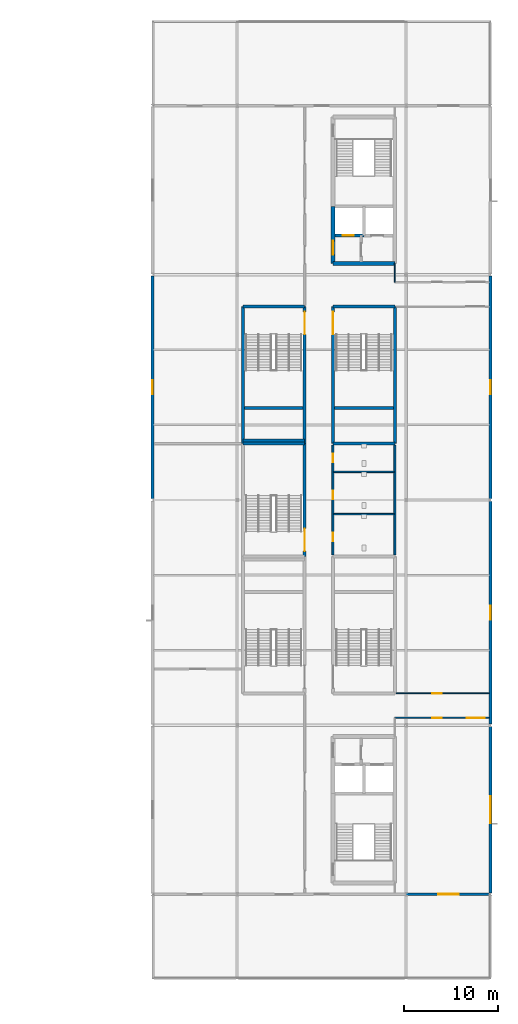
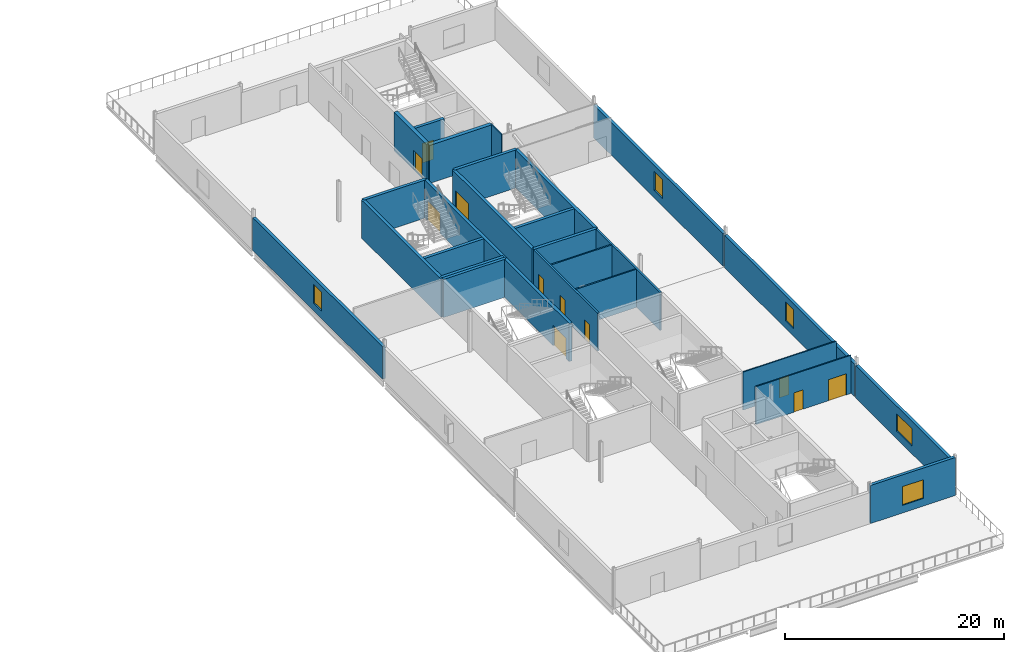
# One storey, part 15 of 28: 27 walls, 11 doors, 5 windows, 16 openings.
"""IFC4 building model written with IfcOpenShell, lengths in metres."""

from ifc_helpers import new_model, si_unit, direction, frame, frame_2d, origin, place, context, subcontext, project, spatial, rectangle, extrude, material, layer, layer_set, type_object, element, fill, save


model = new_model("IFC4")

# Units and contexts
model_context = context("Model", 3, precision=1e-05, world=origin(), true_north=direction((0.0, 1.0)))
body_context = subcontext(model_context, "Body", "Model", "MODEL_VIEW")
ifc_project = project(units=[si_unit("LENGTHUNIT", "METRE"), si_unit("AREAUNIT", "SQUARE_METRE"), si_unit("VOLUMEUNIT", "CUBIC_METRE"), si_unit("PLANEANGLEUNIT", "RADIAN"), si_unit("MASSUNIT", "GRAM", prefix="KILO")], contexts=[model_context])

# Site, building, storey
site_placement = place(None, origin())
site = spatial("IfcSite", under=ifc_project, at=site_placement, CompositionType="ELEMENT")
building_placement = place(site_placement, origin())
building = spatial("IfcBuilding", under=site, at=building_placement, Name="Kisiwana Market Hall", CompositionType="ELEMENT")
storey_placement = place(building_placement, frame((0.0, 0.0, 49.5)))
storey = spatial("IfcBuildingStorey", under=building, at=storey_placement, Name="L11", CompositionType="ELEMENT", Elevation=49.5)

# Wall
ifc_material_1 = material(Name="Masonry blockwork", Category="masonry")
ifc_layer_1 = layer(ifc_material_1, 0.199951171875, Name="Plastered fire compartment block wall")
ifc_layer_set_1 = layer_set([ifc_layer_1], Name="WL-COMP-200")
wall_type_1 = type_object("IfcWallType", Name="WL-COMP-200", PredefinedType="PARTITIONING", material=ifc_layer_set_1)
wall_1_placement = place(storey_placement, frame((187.800048828125, 54.159912109375, 0.0), z_axis=(0.0, 0.0, 1.0), x_axis=(0.0, 1.0, 0.0)))
element("IfcWall", 1, at=wall_1_placement, inside=storey, type_object=wall_type_1, Name="Interior partition W-2883", PredefinedType="PARTITIONING", context=body_context, shape_type="SweptSolid", body=[
    extrude(rectangle(XDim=11.68017578125, YDim=0.199951171875, at=frame_2d((5.840087890625, 0.0))), origin(), (0.0, 0.0, 1.0), 4.2548828125),
])

# Wall, openings, doors
wall_2_placement = place(storey_placement, frame((181.199951171875, 54.159912109375, 0.0), z_axis=(0.0, 0.0, 1.0), x_axis=(0.0, 1.0, 0.0)))
wall_2 = element("IfcWall", 2, at=wall_2_placement, inside=storey, type_object=wall_type_1, Name="Interior partition W-2884", PredefinedType="PARTITIONING", context=body_context, shape_type="SweptSolid", body=[
    extrude(rectangle(XDim=11.68017578125, YDim=0.199951171875, at=frame_2d((5.840087890625, 0.0))), origin(), (0.0, 0.0, 1.0), 4.2548828125),
])
opening_1_placement = place(wall_2_placement, frame((1.43994140625, 0.0, 0.0)))
opening_1 = element("IfcOpeningElement", 3, at=opening_1_placement, cuts=wall_2, Name="Opening DR-L11-037", PredefinedType="OPENING", context=body_context, shape_type="SweptSolid", body=[
    extrude(rectangle(XDim=0.89990234375, YDim=2.10009765625, at=frame_2d((0.449951171875, 1.050048828125))), frame((0.0, 0.11181640625, 0.0), z_axis=(0.0, -1.0, 0.0), x_axis=(1.0, 0.0, 0.0)), (0.0, 0.0, 1.0), 0.223876953125),
])
opening_2_placement = place(wall_2_placement, frame((5.93994140625, 0.0, 0.0)))
opening_2 = element("IfcOpeningElement", 4, at=opening_2_placement, cuts=wall_2, Name="Opening DR-L11-038", PredefinedType="OPENING", context=body_context, shape_type="SweptSolid", body=[
    extrude(rectangle(XDim=0.89990234375, YDim=2.10009765625, at=frame_2d((0.449951171875, 1.050048828125))), frame((0.0, 0.11181640625, 0.0), z_axis=(0.0, -1.0, 0.0), x_axis=(1.0, 0.0, 0.0)), (0.0, 0.0, 1.0), 0.223876953125),
])
opening_3_placement = place(wall_2_placement, frame((9.840087890625, 0.0, 0.0)))
opening_3 = element("IfcOpeningElement", 5, at=opening_3_placement, cuts=wall_2, Name="Opening DR-L11-039", PredefinedType="OPENING", context=body_context, shape_type="SweptSolid", body=[
    extrude(rectangle(XDim=0.949951171875, YDim=2.10009765625, at=frame_2d((0.47509765625, 1.050048828125))), frame((0.0, 0.11181640625, 0.0), z_axis=(0.0, -1.0, 0.0), x_axis=(1.0, 0.0, 0.0)), (0.0, 0.0, 1.0), 0.223876953125),
])
ifc_material_2 = material(Name="Aluminium alloy 6063-T6", Category="aluminium")
door_type_1 = type_object("IfcDoorType", Name="DR-WC-ACC-950", OperationType="NOTDEFINED", PredefinedType="DOOR", material=ifc_material_2)
door_1_placement = place(opening_3_placement, frame((0.949951171875, 0.0, 0.0), z_axis=(0.0, 0.0, 1.0), x_axis=(-1.0, 0.0, 0.0)))
door_1 = element("IfcDoor", 6, at=door_1_placement, inside=storey, type_object=door_type_1, Name="L11 E Accessible WC Door", OperationType="SINGLE_SWING_LEFT", OverallHeight=2.10009765625, OverallWidth=0.949951171875, PredefinedType="DOOR", context=body_context, shape_type="SweptSolid", body=[
    extrude(rectangle(XDim=0.949951171875, YDim=2.10009765625, at=frame_2d((0.47509765625, 1.050048828125))), frame((0.0, 0.02490234375, 0.0), z_axis=(0.0, -1.0, 0.0), x_axis=(1.0, 0.0, 0.0)), (0.0, 0.0, 1.0), 0.050048828125),
])
fill(opening_3, door_1)
ifc_material_3 = material(Name="Aluminium alloy 6063-T6", Category="aluminium")
door_type_2 = type_object("IfcDoorType", Name="DR-WC-STD-900", OperationType="NOTDEFINED", PredefinedType="DOOR", material=ifc_material_3)
door_2_placement = place(opening_1_placement, frame((0.89990234375, 0.0, 0.0), z_axis=(0.0, 0.0, 1.0), x_axis=(-1.0, 0.0, 0.0)))
door_2 = element("IfcDoor", 7, at=door_2_placement, inside=storey, type_object=door_type_2, Name="L11 E Male Toilet Door", OperationType="SINGLE_SWING_RIGHT", OverallHeight=2.10009765625, OverallWidth=0.89990234375, PredefinedType="DOOR", context=body_context, shape_type="SweptSolid", body=[
    extrude(rectangle(XDim=0.89990234375, YDim=2.10009765625, at=frame_2d((0.449951171875, 1.050048828125))), frame((0.0, 0.02490234375, 0.0), z_axis=(0.0, -1.0, 0.0), x_axis=(1.0, 0.0, 0.0)), (0.0, 0.0, 1.0), 0.050048828125),
])
fill(opening_1, door_2)
door_3_placement = place(opening_2_placement, frame((0.89990234375, 0.0, 0.0), z_axis=(0.0, 0.0, 1.0), x_axis=(-1.0, 0.0, 0.0)))
door_3 = element("IfcDoor", 8, at=door_3_placement, inside=storey, type_object=door_type_2, Name="L11 E Female Toilet Door", OperationType="SINGLE_SWING_LEFT", OverallHeight=2.10009765625, OverallWidth=0.89990234375, PredefinedType="DOOR", context=body_context, shape_type="SweptSolid", body=[
    extrude(rectangle(XDim=0.89990234375, YDim=2.10009765625, at=frame_2d((0.449951171875, 1.050048828125))), frame((0.0, 0.02490234375, 0.0), z_axis=(0.0, -1.0, 0.0), x_axis=(1.0, 0.0, 0.0)), (0.0, 0.0, 1.0), 0.050048828125),
])
fill(opening_2, door_3)

# Wall, opening, door
ifc_material_4 = material(Name="Concrete C40/50", Category="concrete")
ifc_layer_2 = layer(ifc_material_4, 0.320068359375, Name="Reinforced concrete shaft wall")
ifc_layer_set_2 = layer_set([ifc_layer_2], Name="WL-CORE-320")
wall_type_2 = type_object("IfcWallType", Name="WL-CORE-320", PredefinedType="SHEAR", material=ifc_layer_set_2)
wall_3_placement = place(storey_placement, frame((181.39990234375, 88.179931640625, 0.0), z_axis=(0.0, 0.0, 1.0), x_axis=(1.0, 0.0, 0.0)))
wall_3 = element("IfcWall", 9, at=wall_3_placement, inside=storey, type_object=wall_type_2, Name="Core E1 west lift front wall W-2785", PredefinedType="SHEAR", context=body_context, shape_type="SweptSolid", body=[
    extrude(rectangle(XDim=3.10009765625, YDim=0.320068359375, at=frame_2d((1.550048828125, 0.0))), origin(), (0.0, 0.0, 1.0), 4.2548828125),
])
opening_4_placement = place(wall_3_placement, frame((0.85009765625, 0.0, 0.0)))
opening_4 = element("IfcOpeningElement", 10, at=opening_4_placement, cuts=wall_3, Name="Opening LD-L11-007", PredefinedType="OPENING", context=body_context, shape_type="SweptSolid", body=[
    extrude(rectangle(XDim=1.14990234375, YDim=2.199951171875, at=frame_2d((0.574951171875, 1.10009765625))), frame((0.0, 0.171875, 0.0), z_axis=(0.0, -1.0, 0.0), x_axis=(1.0, 0.0, 0.0)), (0.0, 0.0, 1.0), 0.343994140625),
])
ifc_material_5 = material(Name="Steel S275", Category="steel")
door_type_3 = type_object("IfcDoorType", Name="DR-LIFT-PAX-1150", OperationType="DOUBLE_DOOR_SLIDING", PredefinedType="DOOR", material=ifc_material_5)
door_4_placement = place(opening_4_placement, origin())
door_4 = element("IfcDoor", 11, at=door_4_placement, inside=storey, type_object=door_type_3, Name="Lift Landing Door LP-04 (L11)", OperationType="DOUBLE_DOOR_SLIDING", OverallHeight=2.199951171875, OverallWidth=1.14990234375, PredefinedType="DOOR", context=body_context, shape_type="SweptSolid", body=[
    extrude(rectangle(XDim=1.14990234375, YDim=2.199951171875, at=frame_2d((0.574951171875, 1.10009765625))), frame((0.0, 0.02490234375, 0.0), z_axis=(0.0, -1.0, 0.0), x_axis=(1.0, 0.0, 0.0)), (0.0, 0.0, 1.0), 0.050048828125),
])
fill(opening_4, door_4)

# Walls
for number, where, z_axis, x_axis, name in (
    (12, (181.199951171875, 66.0, 0.0), (0.0, 0.0, 1.0), (1.0, 0.0, 0.0), "Core E4 south shear wall W-2802"),
    (13, (181.199951171875, 80.60009765625, 0.0), (0.0, 0.0, 1.0), (1.0, 0.0, 0.0), "Core E4 north shear wall W-2803"),
):
    element("IfcWall", number, at=place(storey_placement, frame(where, z_axis=z_axis, x_axis=x_axis)), inside=storey, type_object=wall_type_2, Name=name, PredefinedType="SHEAR", context=body_context, shape_type="SweptSolid", body=[
        extrude(rectangle(XDim=6.60009765625, YDim=0.320068359375, at=frame_2d((3.300048828125, 0.0))), origin(), (0.0, 0.0, 1.0), 4.2548828125),
    ])

# Wall, opening, door
wall_4_placement = place(storey_placement, frame((181.199951171875, 66.0, 0.0), z_axis=(0.0, 0.0, 1.0), x_axis=(0.0, 1.0, 0.0)))
wall_4 = element("IfcWall", 14, at=wall_4_placement, inside=storey, type_object=wall_type_2, Name="Core E4 corridor shear wall W-2804", PredefinedType="SHEAR", context=body_context, shape_type="SweptSolid", body=[
    extrude(rectangle(XDim=14.60009765625, YDim=0.320068359375, at=frame_2d((7.300048828125, 0.0))), origin(), (0.0, 0.0, 1.0), 4.2548828125),
])
opening_5_placement = place(wall_4_placement, frame((11.64990234375, 0.0, 0.0)))
opening_5 = element("IfcOpeningElement", 15, at=opening_5_placement, cuts=wall_4, Name="Opening DR-L11-016", PredefinedType="OPENING", context=body_context, shape_type="SweptSolid", body=[
    extrude(rectangle(XDim=2.39990234375, YDim=2.25, at=frame_2d((1.199951171875, 1.125))), frame((0.0, 0.171875, 0.0), z_axis=(0.0, -1.0, 0.0), x_axis=(1.0, 0.0, 0.0)), (0.0, 0.0, 1.0), 0.343994140625),
])
ifc_material_6 = material(Name="Steel S275", Category="steel")
door_type_4 = type_object("IfcDoorType", Name="DR-STAIR-FD120-2400", OperationType="DOUBLE_DOOR_SINGLE_SWING", PredefinedType="DOOR", material=ifc_material_6)
door_5_placement = place(opening_5_placement, frame((2.39990234375, 0.0, 0.0), z_axis=(0.0, 0.0, 1.0), x_axis=(-1.0, 0.0, 0.0)))
door_5 = element("IfcDoor", 16, at=door_5_placement, inside=storey, type_object=door_type_4, Name="Escape Stair E4 Fire Door (L11)", OperationType="DOUBLE_DOOR_SINGLE_SWING", OverallHeight=2.25, OverallWidth=2.39990234375, PredefinedType="DOOR", context=body_context, shape_type="SweptSolid", body=[
    extrude(rectangle(XDim=2.39990234375, YDim=2.25, at=frame_2d((1.199951171875, 1.125))), frame((0.0, 0.02490234375, 0.0), z_axis=(0.0, -1.0, 0.0), x_axis=(1.0, 0.0, 0.0)), (0.0, 0.0, 1.0), 0.050048828125),
])
fill(opening_5, door_5)

# Walls
wall_5_placement = place(storey_placement, frame((187.800048828125, 66.0, 0.0), z_axis=(0.0, 0.0, 1.0), x_axis=(0.0, 1.0, 0.0)))
element("IfcWall", 17, at=wall_5_placement, inside=storey, type_object=wall_type_2, Name="Core E4 outer shear wall W-2805", PredefinedType="SHEAR", context=body_context, shape_type="SweptSolid", body=[
    extrude(rectangle(XDim=14.60009765625, YDim=0.320068359375, at=frame_2d((7.300048828125, 0.0))), origin(), (0.0, 0.0, 1.0), 4.2548828125),
])
wall_6_placement = place(storey_placement, frame((181.360107421875, 69.780029296875, 0.0), z_axis=(0.0, 0.0, 1.0), x_axis=(1.0, 0.0, 0.0)))
element("IfcWall", 18, at=wall_6_placement, inside=storey, type_object=wall_type_2, Name="Core E4 riser divider shear wall W-2806", PredefinedType="SHEAR", context=body_context, shape_type="SweptSolid", body=[
    extrude(rectangle(XDim=6.27978515625, YDim=0.320068359375, at=frame_2d((3.139892578125, 0.0))), origin(), (0.0, 0.0, 1.0), 4.2548828125),
])
for number, where, z_axis, x_axis, name in (
    (19, (171.60009765625, 66.0, 0.0), (0.0, 0.0, 1.0), (1.0, 0.0, 0.0), "Core E8 south shear wall W-2822"),
    (20, (171.60009765625, 80.60009765625, 0.0), (0.0, 0.0, 1.0), (1.0, 0.0, 0.0), "Core E8 north shear wall W-2823"),
):
    element("IfcWall", number, at=place(storey_placement, frame(where, z_axis=z_axis, x_axis=x_axis)), inside=storey, type_object=wall_type_2, Name=name, PredefinedType="SHEAR", context=body_context, shape_type="SweptSolid", body=[
        extrude(rectangle(XDim=6.599853515625, YDim=0.320068359375, at=frame_2d((3.2998046875, 0.0))), origin(), (0.0, 0.0, 1.0), 4.2548828125),
    ])
wall_7_placement = place(storey_placement, frame((171.60009765625, 66.0, 0.0), z_axis=(0.0, 0.0, 1.0), x_axis=(0.0, 1.0, 0.0)))
element("IfcWall", 21, at=wall_7_placement, inside=storey, type_object=wall_type_2, Name="Core E8 outer shear wall W-2824", PredefinedType="SHEAR", context=body_context, shape_type="SweptSolid", body=[
    extrude(rectangle(XDim=14.60009765625, YDim=0.320068359375, at=frame_2d((7.300048828125, 0.0))), origin(), (0.0, 0.0, 1.0), 4.2548828125),
])

# Wall, opening, door
wall_8_placement = place(storey_placement, frame((178.199951171875, 66.0, 0.0), z_axis=(0.0, 0.0, 1.0), x_axis=(0.0, 1.0, 0.0)))
wall_8 = element("IfcWall", 22, at=wall_8_placement, inside=storey, type_object=wall_type_2, Name="Core E8 corridor shear wall W-2825", PredefinedType="SHEAR", context=body_context, shape_type="SweptSolid", body=[
    extrude(rectangle(XDim=14.60009765625, YDim=0.320068359375, at=frame_2d((7.300048828125, 0.0))), origin(), (0.0, 0.0, 1.0), 4.2548828125),
])
opening_6_placement = place(wall_8_placement, frame((11.64990234375, 0.0, 0.0)))
opening_6 = element("IfcOpeningElement", 23, at=opening_6_placement, cuts=wall_8, Name="Opening DR-L11-020", PredefinedType="OPENING", context=body_context, shape_type="SweptSolid", body=[
    extrude(rectangle(XDim=2.39990234375, YDim=2.25, at=frame_2d((1.199951171875, 1.125))), frame((0.0, 0.171875, 0.0), z_axis=(0.0, -1.0, 0.0), x_axis=(1.0, 0.0, 0.0)), (0.0, 0.0, 1.0), 0.343994140625),
])
door_6_placement = place(opening_6_placement, origin())
door_6 = element("IfcDoor", 24, at=door_6_placement, inside=storey, type_object=door_type_4, Name="Escape Stair E8 Fire Door (L11)", OperationType="DOUBLE_DOOR_SINGLE_SWING", OverallHeight=2.25, OverallWidth=2.39990234375, PredefinedType="DOOR", context=body_context, shape_type="SweptSolid", body=[
    extrude(rectangle(XDim=2.39990234375, YDim=2.25, at=frame_2d((1.199951171875, 1.125))), frame((0.0, 0.02490234375, 0.0), z_axis=(0.0, -1.0, 0.0), x_axis=(1.0, 0.0, 0.0)), (0.0, 0.0, 1.0), 0.050048828125),
])
fill(opening_6, door_6)

# Walls
wall_9_placement = place(storey_placement, frame((171.760009765625, 69.780029296875, 0.0), z_axis=(0.0, 0.0, 1.0), x_axis=(1.0, 0.0, 0.0)))
element("IfcWall", 25, at=wall_9_placement, inside=storey, type_object=wall_type_2, Name="Core E8 riser divider shear wall W-2826", PredefinedType="SHEAR", context=body_context, shape_type="SweptSolid", body=[
    extrude(rectangle(XDim=6.280029296875, YDim=0.320068359375, at=frame_2d((3.14013671875, 0.0))), origin(), (0.0, 0.0, 1.0), 4.2548828125),
])
wall_10_placement = place(storey_placement, frame((171.60009765625, 66.320068359375, 0.0), z_axis=(0.0, 0.0, 1.0), x_axis=(1.0, 0.0, 0.0)))
element("IfcWall", 26, at=wall_10_placement, inside=storey, type_object=wall_type_2, Name="Core E5 north shear wall W-2832", PredefinedType="SHEAR", context=body_context, shape_type="SweptSolid", body=[
    extrude(rectangle(XDim=6.599853515625, YDim=0.320068359375, at=frame_2d((3.2998046875, 0.0))), origin(), (0.0, 0.0, 1.0), 4.2548828125),
])

# Wall, opening, door
wall_11_placement = place(storey_placement, frame((178.199951171875, 54.0, 0.0), z_axis=(0.0, 0.0, 1.0), x_axis=(0.0, 1.0, 0.0)))
wall_11 = element("IfcWall", 27, at=wall_11_placement, inside=storey, type_object=wall_type_2, Name="Core E5 corridor shear wall W-2834", PredefinedType="SHEAR", context=body_context, shape_type="SweptSolid", body=[
    extrude(rectangle(XDim=12.0, YDim=0.320068359375, at=frame_2d((6.0, 0.0))), origin(), (0.0, 0.0, 1.0), 4.2548828125),
])
opening_7_placement = place(wall_11_placement, frame((0.550048828125, 0.0, 0.0)))
opening_7 = element("IfcOpeningElement", 28, at=opening_7_placement, cuts=wall_11, Name="Opening DR-L11-022", PredefinedType="OPENING", context=body_context, shape_type="SweptSolid", body=[
    extrude(rectangle(XDim=2.39990234375, YDim=2.25, at=frame_2d((1.199951171875, 1.125))), frame((0.0, 0.171875, 0.0), z_axis=(0.0, -1.0, 0.0), x_axis=(1.0, 0.0, 0.0)), (0.0, 0.0, 1.0), 0.343994140625),
])
door_7_placement = place(opening_7_placement, origin())
door_7 = element("IfcDoor", 29, at=door_7_placement, inside=storey, type_object=door_type_4, Name="Escape Stair E5 Fire Door (L11)", OperationType="DOUBLE_DOOR_SINGLE_SWING", OverallHeight=2.25, OverallWidth=2.39990234375, PredefinedType="DOOR", context=body_context, shape_type="SweptSolid", body=[
    extrude(rectangle(XDim=2.39990234375, YDim=2.25, at=frame_2d((1.199951171875, 1.125))), frame((0.0, 0.02490234375, 0.0), z_axis=(0.0, -1.0, 0.0), x_axis=(1.0, 0.0, 0.0)), (0.0, 0.0, 1.0), 0.050048828125),
])
fill(opening_7, door_7)

# Wall
ifc_material_7 = material(Name="Concrete C40/50", Category="concrete")
ifc_layer_3 = layer(ifc_material_7, 0.39990234375, Name="Reinforced concrete core wall")
ifc_layer_set_3 = layer_set([ifc_layer_3], Name="WL-CORE-400")
wall_type_3 = type_object("IfcWallType", Name="WL-CORE-400", PredefinedType="SHEAR", material=ifc_layer_set_3)
wall_12_placement = place(storey_placement, frame((181.199951171875, 85.199951171875, 0.0), z_axis=(0.0, 0.0, 1.0), x_axis=(1.0, 0.0, 0.0)))
element("IfcWall", 30, at=wall_12_placement, inside=storey, type_object=wall_type_3, Name="Core E1 south shear wall W-2778", PredefinedType="SHEAR", context=body_context, shape_type="SweptSolid", body=[
    extrude(rectangle(XDim=6.60009765625, YDim=0.39990234375, at=frame_2d((3.300048828125, 0.0))), origin(), (0.0, 0.0, 1.0), 4.2548828125),
])

# Wall, opening, door
wall_13_placement = place(storey_placement, frame((181.199951171875, 85.199951171875, 0.0), z_axis=(0.0, 0.0, 1.0), x_axis=(0.0, 1.0, 0.0)))
wall_13 = element("IfcWall", 31, at=wall_13_placement, inside=storey, type_object=wall_type_3, Name="Core E1 lobby corridor shear wall W-2781", PredefinedType="SHEAR", context=body_context, shape_type="SweptSolid", body=[
    extrude(rectangle(XDim=6.0400390625, YDim=0.39990234375, at=frame_2d((3.02001953125, 0.0))), origin(), (0.0, 0.0, 1.0), 4.2548828125),
])
opening_8_placement = place(wall_13_placement, frame((0.89990234375, 0.0, 0.0)))
opening_8 = element("IfcOpeningElement", 32, at=opening_8_placement, cuts=wall_13, Name="Opening DR-L11-010", PredefinedType="OPENING", context=body_context, shape_type="SweptSolid", body=[
    extrude(rectangle(XDim=1.5, YDim=2.199951171875, at=frame_2d((0.75, 1.10009765625))), frame((0.0, 0.2119140625, 0.0), z_axis=(0.0, -1.0, 0.0), x_axis=(1.0, 0.0, 0.0)), (0.0, 0.0, 1.0), 0.423828125),
])
ifc_material_8 = material(Name="Steel S275", Category="steel")
door_type_5 = type_object("IfcDoorType", Name="DR-CORR-FD60-1500", OperationType="DOUBLE_DOOR_SINGLE_SWING", PredefinedType="DOOR", material=ifc_material_8)
door_8_placement = place(opening_8_placement, origin())
door_8 = element("IfcDoor", 33, at=door_8_placement, inside=storey, type_object=door_type_5, Name="Passenger Lift Lobby E1 Smoke Door (L11)", OperationType="DOUBLE_DOOR_SINGLE_SWING", OverallHeight=2.199951171875, OverallWidth=1.5, PredefinedType="DOOR", context=body_context, shape_type="SweptSolid", body=[
    extrude(rectangle(XDim=1.5, YDim=2.199951171875, at=frame_2d((0.75, 1.10009765625))), frame((0.0, 0.02490234375, 0.0), z_axis=(0.0, -1.0, 0.0), x_axis=(1.0, 0.0, 0.0)), (0.0, 0.0, 1.0), 0.050048828125),
])
fill(opening_8, door_8)

# Wall, opening, window
ifc_material_9 = material(Name="Concrete C40/50 precast", Category="concrete")
ifc_layer_4 = layer(ifc_material_9, 0.31494140625)
ifc_layer_set_4 = layer_set([ifc_layer_4], Name="WL-EXT-315")
wall_type_4 = type_object("IfcWallType", Name="WL-EXT-315", PredefinedType="STANDARD", material=ifc_layer_set_4)
wall_14_placement = place(storey_placement, frame((189.010009765625, 18.0, 0.0), z_axis=(0.0, 0.0, 1.0), x_axis=(1.0, 0.0, 0.0)))
wall_14 = element("IfcWall", 34, at=wall_14_placement, inside=storey, type_object=wall_type_4, Name="Exterior wall W-2840", PredefinedType="STANDARD", context=body_context, shape_type="SweptSolid", body=[
    extrude(rectangle(XDim=8.97998046875, YDim=0.31494140625, at=frame_2d((4.489990234375, 0.0))), origin(), (0.0, 0.0, 1.0), 4.2548828125),
])
opening_9_placement = place(wall_14_placement, frame((3.389892578125, 0.0, 0.85009765625)))
opening_9 = element("IfcOpeningElement", 35, at=opening_9_placement, cuts=wall_14, Name="Opening WN-28", PredefinedType="OPENING", context=body_context, shape_type="SweptSolid", body=[
    extrude(rectangle(XDim=2.199951171875, YDim=2.10009765625, at=frame_2d((1.10009765625, 1.050048828125))), frame((0.0, 0.16943359375, 0.0), z_axis=(0.0, -1.0, 0.0), x_axis=(1.0, 0.0, 0.0)), (0.0, 0.0, 1.0), 0.3388671875),
])
ifc_material_10 = material(Name="Double-glazed solar-control low-E IGU", Category="glass")
window_type_1 = type_object("IfcWindowType", Name="WN-SKYG-2200x2100", PartitioningType="SINGLE_PANEL", PredefinedType="WINDOW", material=ifc_material_10)
window_1_placement = place(opening_9_placement, origin())
window_1 = element("IfcWindow", 36, at=window_1_placement, inside=storey, type_object=window_type_1, Name="Exterior window WN-346", OverallHeight=2.10009765625, OverallWidth=2.199951171875, PartitioningType="SINGLE_PANEL", PredefinedType="WINDOW", context=body_context, shape_type="SweptSolid", body=[
    extrude(rectangle(XDim=2.199951171875, YDim=2.10009765625, at=frame_2d((1.10009765625, 1.050048828125))), frame((0.0, 0.030029296875, 0.0), z_axis=(0.0, -1.0, 0.0), x_axis=(1.0, 0.0, 0.0)), (0.0, 0.0, 1.0), 0.06005859375),
])
fill(opening_9, window_1)

wall_15_placement = place(storey_placement, frame((162.0, 60.133056640625, 0.0), z_axis=(0.0, 0.0, 1.0), x_axis=(0.0, 1.0, 0.0)))
wall_15 = element("IfcWall", 37, at=wall_15_placement, inside=storey, type_object=wall_type_4, Name="Exterior wall W-2857", PredefinedType="STANDARD", context=body_context, shape_type="SweptSolid", body=[
    extrude(rectangle(XDim=23.73388671875, YDim=0.31494140625, at=frame_2d((11.866943359375, 0.0))), origin(), (0.0, 0.0, 1.0), 3.642822265625),
])
opening_10_placement = place(wall_15_placement, frame((11.116943359375, 0.0, 0.85009765625)))
opening_10 = element("IfcOpeningElement", 38, at=opening_10_placement, cuts=wall_15, Name="Opening WN-04", PredefinedType="OPENING", context=body_context, shape_type="SweptSolid", body=[
    extrude(rectangle(XDim=1.5, YDim=2.10009765625, at=frame_2d((0.75, 1.050048828125))), frame((0.0, 0.16943359375, 0.0), z_axis=(0.0, -1.0, 0.0), x_axis=(1.0, 0.0, 0.0)), (0.0, 0.0, 1.0), 0.3388671875),
])
ifc_material_11 = material(Name="Double-glazed solar-control low-E IGU", Category="glass")
window_type_2 = type_object("IfcWindowType", Name="WN-DRUM-1500x2100", PartitioningType="SINGLE_PANEL", PredefinedType="WINDOW", material=ifc_material_11)
window_2_placement = place(opening_10_placement, origin())
window_2 = element("IfcWindow", 39, at=window_2_placement, inside=storey, type_object=window_type_2, Name="Exterior window WN-342", OverallHeight=2.10009765625, OverallWidth=1.5, PartitioningType="SINGLE_PANEL", PredefinedType="WINDOW", context=body_context, shape_type="SweptSolid", body=[
    extrude(rectangle(XDim=1.5, YDim=2.10009765625, at=frame_2d((0.75, 1.050048828125))), frame((0.0, 0.030029296875, 0.0), z_axis=(0.0, -1.0, 0.0), x_axis=(1.0, 0.0, 0.0)), (0.0, 0.0, 1.0), 0.06005859375),
])
fill(opening_10, window_2)

wall_16_placement = place(storey_placement, frame((198.0, 18.133056640625, 0.0), z_axis=(0.0, 0.0, 1.0), x_axis=(0.0, 1.0, 0.0)))
wall_16 = element("IfcWall", 40, at=wall_16_placement, inside=storey, type_object=wall_type_4, Name="Exterior wall W-2859", PredefinedType="STANDARD", context=body_context, shape_type="SweptSolid", body=[
    extrude(rectangle(XDim=17.73388671875, YDim=0.31494140625, at=frame_2d((8.866943359375, 0.0))), origin(), (0.0, 0.0, 1.0), 3.642822265625),
])
opening_11_placement = place(wall_16_placement, frame((7.44189453125, 0.0, 0.85009765625)))
opening_11 = element("IfcOpeningElement", 41, at=opening_11_placement, cuts=wall_16, Name="Opening W-31", PredefinedType="OPENING", context=body_context, shape_type="SweptSolid", body=[
    extrude(rectangle(XDim=2.85009765625, YDim=1.949951171875, at=frame_2d((1.425048828125, 0.97509765625))), frame((0.0, 0.16943359375, 0.0), z_axis=(0.0, -1.0, 0.0), x_axis=(1.0, 0.0, 0.0)), (0.0, 0.0, 1.0), 0.3388671875),
])
ifc_material_12 = material(Name="Double-glazed solar-control low-E IGU", Category="glass")
window_type_3 = type_object("IfcWindowType", Name="WN-TWRA-2850x1950", PartitioningType="SINGLE_PANEL", PredefinedType="WINDOW", material=ifc_material_12)
window_3_placement = place(opening_11_placement, origin())
window_3 = element("IfcWindow", 42, at=window_3_placement, inside=storey, type_object=window_type_3, Name="Exterior window WN-331", OverallHeight=1.949951171875, OverallWidth=2.85009765625, PartitioningType="SINGLE_PANEL", PredefinedType="WINDOW", context=body_context, shape_type="SweptSolid", body=[
    extrude(rectangle(XDim=2.85009765625, YDim=1.949951171875, at=frame_2d((1.425048828125, 0.97509765625))), frame((0.0, 0.030029296875, 0.0), z_axis=(0.0, -1.0, 0.0), x_axis=(1.0, 0.0, 0.0)), (0.0, 0.0, 1.0), 0.06005859375),
])
fill(opening_11, window_3)

wall_17_placement = place(storey_placement, frame((198.0, 36.133056640625, 0.0), z_axis=(0.0, 0.0, 1.0), x_axis=(0.0, 1.0, 0.0)))
wall_17 = element("IfcWall", 43, at=wall_17_placement, inside=storey, type_object=wall_type_4, Name="Exterior wall W-2860", PredefinedType="STANDARD", context=body_context, shape_type="SweptSolid", body=[
    extrude(rectangle(XDim=23.73388671875, YDim=0.31494140625, at=frame_2d((11.866943359375, 0.0))), origin(), (0.0, 0.0, 1.0), 3.642822265625),
])
opening_12_placement = place(wall_17_placement, frame((11.116943359375, 0.0, 0.85009765625)))
opening_12 = element("IfcOpeningElement", 44, at=opening_12_placement, cuts=wall_17, Name="Opening WN-04", PredefinedType="OPENING", context=body_context, shape_type="SweptSolid", body=[
    extrude(rectangle(XDim=1.5, YDim=2.10009765625, at=frame_2d((0.75, 1.050048828125))), frame((0.0, 0.16943359375, 0.0), z_axis=(0.0, -1.0, 0.0), x_axis=(1.0, 0.0, 0.0)), (0.0, 0.0, 1.0), 0.3388671875),
])
window_4_placement = place(opening_12_placement, origin())
window_4 = element("IfcWindow", 45, at=window_4_placement, inside=storey, type_object=window_type_2, Name="Exterior window WN-343", OverallHeight=2.10009765625, OverallWidth=1.5, PartitioningType="SINGLE_PANEL", PredefinedType="WINDOW", context=body_context, shape_type="SweptSolid", body=[
    extrude(rectangle(XDim=1.5, YDim=2.10009765625, at=frame_2d((0.75, 1.050048828125))), frame((0.0, 0.030029296875, 0.0), z_axis=(0.0, -1.0, 0.0), x_axis=(1.0, 0.0, 0.0)), (0.0, 0.0, 1.0), 0.06005859375),
])
fill(opening_12, window_4)

wall_18_placement = place(storey_placement, frame((198.0, 60.133056640625, 0.0), z_axis=(0.0, 0.0, 1.0), x_axis=(0.0, 1.0, 0.0)))
wall_18 = element("IfcWall", 46, at=wall_18_placement, inside=storey, type_object=wall_type_4, Name="Exterior wall W-2861", PredefinedType="STANDARD", context=body_context, shape_type="SweptSolid", body=[
    extrude(rectangle(XDim=23.73388671875, YDim=0.31494140625, at=frame_2d((11.866943359375, 0.0))), origin(), (0.0, 0.0, 1.0), 3.642822265625),
])
opening_13_placement = place(wall_18_placement, frame((11.116943359375, 0.0, 0.85009765625)))
opening_13 = element("IfcOpeningElement", 47, at=opening_13_placement, cuts=wall_18, Name="Opening WN-04", PredefinedType="OPENING", context=body_context, shape_type="SweptSolid", body=[
    extrude(rectangle(XDim=1.5, YDim=2.10009765625, at=frame_2d((0.75, 1.050048828125))), frame((0.0, 0.16943359375, 0.0), z_axis=(0.0, -1.0, 0.0), x_axis=(1.0, 0.0, 0.0)), (0.0, 0.0, 1.0), 0.3388671875),
])
window_5_placement = place(opening_13_placement, origin())
window_5 = element("IfcWindow", 48, at=window_5_placement, inside=storey, type_object=window_type_2, Name="Exterior window WN-344", OverallHeight=2.10009765625, OverallWidth=1.5, PartitioningType="SINGLE_PANEL", PredefinedType="WINDOW", context=body_context, shape_type="SweptSolid", body=[
    extrude(rectangle(XDim=1.5, YDim=2.10009765625, at=frame_2d((0.75, 1.050048828125))), frame((0.0, 0.030029296875, 0.0), z_axis=(0.0, -1.0, 0.0), x_axis=(1.0, 0.0, 0.0)), (0.0, 0.0, 1.0), 0.06005859375),
])
fill(opening_13, window_5)

# Wall
ifc_material_13 = material(Name="Gypsum plasterboard")
ifc_layer_5 = layer(ifc_material_13, 0.125, Name="Double gypsum board + acoustic stud")
ifc_layer_set_5 = layer_set([ifc_layer_5], Name="WL-OFF-125")
wall_type_5 = type_object("IfcWallType", Name="WL-OFF-125", PredefinedType="PARTITIONING", material=ifc_layer_set_5)
wall_19_placement = place(storey_placement, frame((187.800048828125, 83.199951171875, 0.0), z_axis=(0.0, 0.0, 1.0), x_axis=(0.0, 1.0, 0.0)))
element("IfcWall", 49, at=wall_19_placement, inside=storey, type_object=wall_type_5, Name="Interior partition W-2888", PredefinedType="PARTITIONING", context=body_context, shape_type="SweptSolid", body=[
    extrude(rectangle(XDim=2.0, YDim=0.125, at=frame_2d((1.0, 0.0))), origin(), (0.0, 0.0, 1.0), 4.2548828125),
])

# Wall, openings, doors
wall_20_placement = place(storey_placement, frame((187.800048828125, 36.800048828125, 0.0), z_axis=(0.0, 0.0, 1.0), x_axis=(1.0, 0.0, 0.0)))
wall_20 = element("IfcWall", 50, at=wall_20_placement, inside=storey, type_object=wall_type_5, Name="Interior partition W-2891", PredefinedType="PARTITIONING", context=body_context, shape_type="SweptSolid", body=[
    extrude(rectangle(XDim=10.030029296875, YDim=0.125, at=frame_2d((5.01513671875, 0.0))), origin(), (0.0, 0.0, 1.0), 4.2548828125),
])
opening_14_placement = place(wall_20_placement, frame((4.0, 0.0, 0.0)))
opening_14 = element("IfcOpeningElement", 51, at=opening_14_placement, cuts=wall_20, Name="Opening DR-L11-040", PredefinedType="OPENING", context=body_context, shape_type="SweptSolid", body=[
    extrude(rectangle(XDim=1.0, YDim=2.14990234375, at=frame_2d((0.5, 1.074951171875))), frame((0.0, 0.074462890625, 0.0), z_axis=(0.0, -1.0, 0.0), x_axis=(1.0, 0.0, 0.0)), (0.0, 0.0, 1.0), 0.14892578125),
])
opening_15_placement = place(wall_20_placement, frame((7.64990234375, 0.0, 0.0)))
opening_15 = element("IfcOpeningElement", 52, at=opening_15_placement, cuts=wall_20, Name="Opening DR-L11-041", PredefinedType="OPENING", context=body_context, shape_type="SweptSolid", body=[
    extrude(rectangle(XDim=1.89990234375, YDim=2.35009765625, at=frame_2d((0.949951171875, 1.175048828125))), frame((0.0, 0.074462890625, 0.0), z_axis=(0.0, -1.0, 0.0), x_axis=(1.0, 0.0, 0.0)), (0.0, 0.0, 1.0), 0.14892578125),
])
ifc_material_14 = material(Name="Steel S275", Category="steel")
door_type_6 = type_object("IfcDoorType", Name="DR-HALL-1900", OperationType="DOUBLE_DOOR_SINGLE_SWING", PredefinedType="DOOR", material=ifc_material_14)
door_9_placement = place(opening_15_placement, frame((1.89990234375, 0.0, 0.0), z_axis=(0.0, 0.0, 1.0), x_axis=(-1.0, 0.0, 0.0)))
door_9 = element("IfcDoor", 53, at=door_9_placement, inside=storey, type_object=door_type_6, Name="L11 E Civic Seminar Suite South Exit Door", OperationType="DOUBLE_DOOR_SINGLE_SWING", OverallHeight=2.35009765625, OverallWidth=1.89990234375, PredefinedType="DOOR", context=body_context, shape_type="SweptSolid", body=[
    extrude(rectangle(XDim=1.89990234375, YDim=2.35009765625, at=frame_2d((0.949951171875, 1.175048828125))), frame((0.0, 0.02490234375, 0.0), z_axis=(0.0, -1.0, 0.0), x_axis=(1.0, 0.0, 0.0)), (0.0, 0.0, 1.0), 0.050048828125),
])
fill(opening_15, door_9)
ifc_material_15 = material(Name="Aluminium alloy 6063-T6", Category="aluminium")
door_type_7 = type_object("IfcDoorType", Name="DR-OFF-1000", OperationType="NOTDEFINED", PredefinedType="DOOR", material=ifc_material_15)
door_10_placement = place(opening_14_placement, frame((1.0, 0.0, 0.0), z_axis=(0.0, 0.0, 1.0), x_axis=(-1.0, 0.0, 0.0)))
door_10 = element("IfcDoor", 54, at=door_10_placement, inside=storey, type_object=door_type_7, Name="L11 E Civic Seminar Suite South Door", OperationType="SINGLE_SWING_RIGHT", OverallHeight=2.14990234375, OverallWidth=1.0, PredefinedType="DOOR", context=body_context, shape_type="SweptSolid", body=[
    extrude(rectangle(XDim=1.0, YDim=2.14990234375, at=frame_2d((0.5, 1.074951171875))), frame((0.0, 0.02490234375, 0.0), z_axis=(0.0, -1.0, 0.0), x_axis=(1.0, 0.0, 0.0)), (0.0, 0.0, 1.0), 0.050048828125),
])
fill(opening_14, door_10)

# Wall, opening, door
wall_21_placement = place(storey_placement, frame((187.9599609375, 39.39990234375, 0.0), z_axis=(0.0, 0.0, 1.0), x_axis=(1.0, 0.0, 0.0)))
wall_21 = element("IfcWall", 55, at=wall_21_placement, inside=storey, type_object=wall_type_5, Name="Interior partition W-2892", PredefinedType="PARTITIONING", context=body_context, shape_type="SweptSolid", body=[
    extrude(rectangle(XDim=9.8701171875, YDim=0.125, at=frame_2d((4.93505859375, 0.0))), origin(), (0.0, 0.0, 1.0), 4.2548828125),
])
opening_16_placement = place(wall_21_placement, frame((3.840087890625, 0.0, 0.0)))
opening_16 = element("IfcOpeningElement", 56, at=opening_16_placement, cuts=wall_21, Name="Opening DR-L11-042", PredefinedType="OPENING", context=body_context, shape_type="SweptSolid", body=[
    extrude(rectangle(XDim=1.0, YDim=2.14990234375, at=frame_2d((0.5, 1.074951171875))), frame((0.0, 0.074462890625, 0.0), z_axis=(0.0, -1.0, 0.0), x_axis=(1.0, 0.0, 0.0)), (0.0, 0.0, 1.0), 0.14892578125),
])
door_11_placement = place(opening_16_placement, origin())
door_11 = element("IfcDoor", 57, at=door_11_placement, inside=storey, type_object=door_type_7, Name="L11 E Civic Seminar Suite Central Door", OperationType="SINGLE_SWING_LEFT", OverallHeight=2.14990234375, OverallWidth=1.0, PredefinedType="DOOR", context=body_context, shape_type="SweptSolid", body=[
    extrude(rectangle(XDim=1.0, YDim=2.14990234375, at=frame_2d((0.5, 1.074951171875))), frame((0.0, 0.02490234375, 0.0), z_axis=(0.0, -1.0, 0.0), x_axis=(1.0, 0.0, 0.0)), (0.0, 0.0, 1.0), 0.050048828125),
])
fill(opening_16, door_11)

# Walls
ifc_material_16 = material(Name="Masonry blockwork", Category="masonry")
ifc_layer_6 = layer(ifc_material_16, 0.14990234375, Name="Water-resistant sanitary block wall")
ifc_layer_set_6 = layer_set([ifc_layer_6], Name="WL-WET-150")
wall_type_6 = type_object("IfcWallType", Name="WL-WET-150", PredefinedType="PARTITIONING", material=ifc_layer_set_6)
for number, where, z_axis, x_axis, name in (
    (58, (181.284912109375, 58.5, 0.0), (0.0, 0.0, 1.0), (1.0, 0.0, 0.0), "Interior partition W-2885"),
    (59, (181.284912109375, 63.0, 0.0), (0.0, 0.0, 1.0), (1.0, 0.0, 0.0), "Interior partition W-2886"),
):
    element("IfcWall", number, at=place(storey_placement, frame(where, z_axis=z_axis, x_axis=x_axis)), inside=storey, type_object=wall_type_6, Name=name, PredefinedType="PARTITIONING", context=body_context, shape_type="SweptSolid", body=[
        extrude(rectangle(XDim=6.43017578125, YDim=0.14990234375, at=frame_2d((3.215087890625, 0.0))), origin(), (0.0, 0.0, 1.0), 4.2548828125),
    ])

save(model, "model.ifc")
